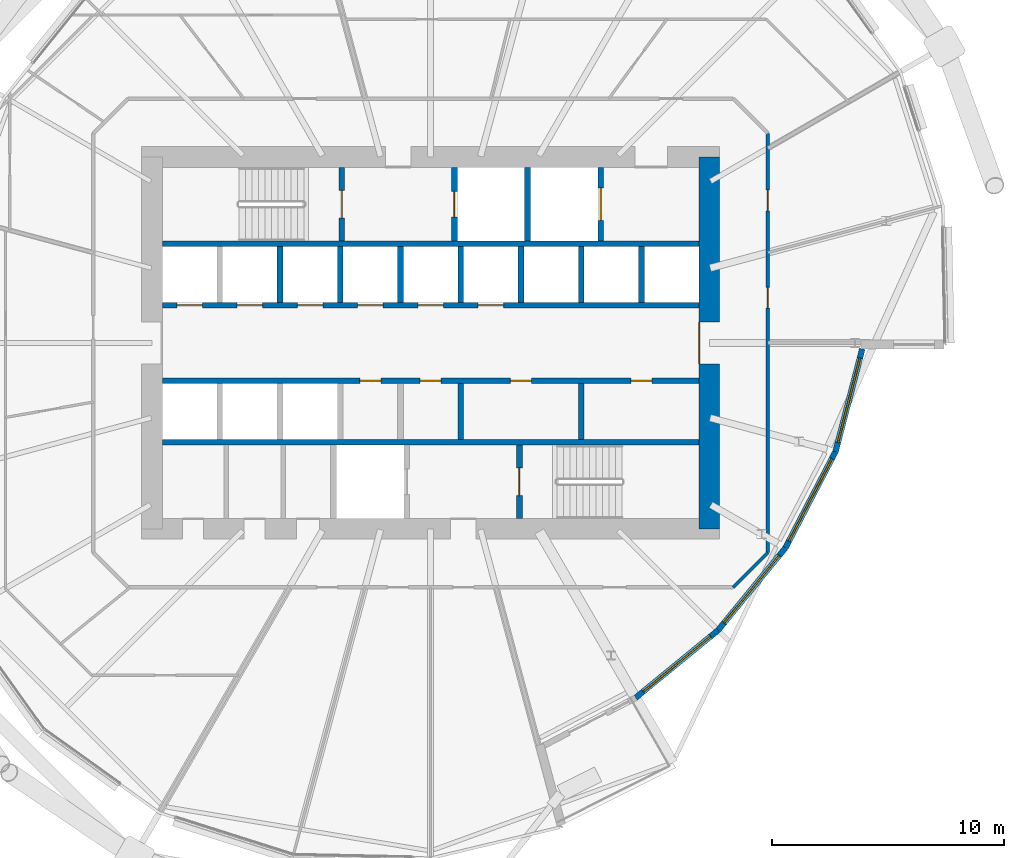
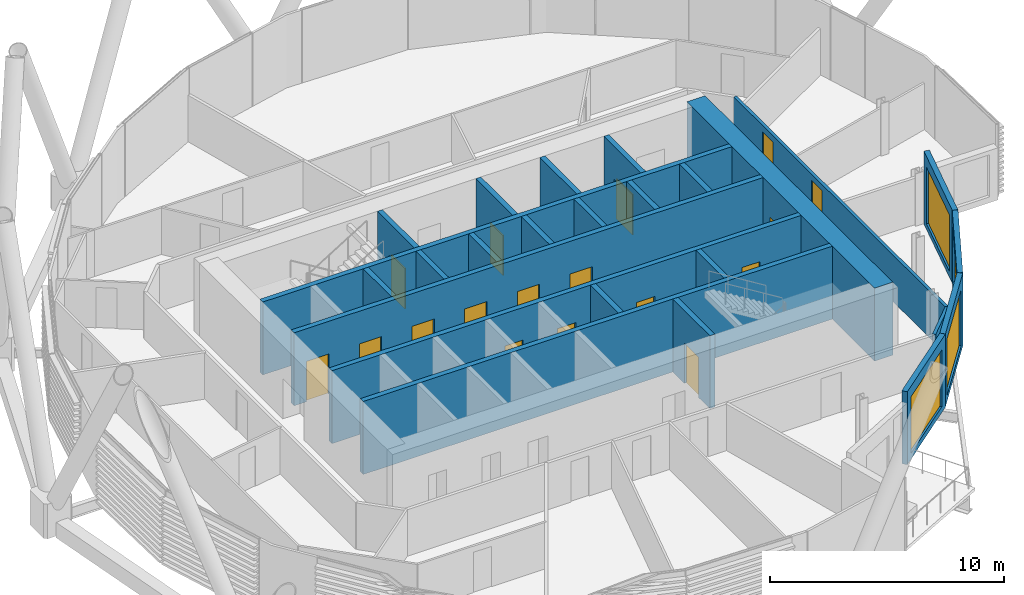
# One storey, part 24 of 36: 25 walls, 17 doors, 4 windows, 21 openings.
"""IFC4 building model written with IfcOpenShell, lengths in metres."""

from ifc_helpers import new_model, si_unit, direction, frame, frame_2d, origin, place, context, subcontext, project, spatial, rectangle, extrude, material, layer, layer_set, type_object, element, fill, save


model = new_model("IFC4")

# Units and contexts
model_context = context("Model", 3, precision=1e-05, world=origin(), true_north=direction((0.0, 1.0)))
body_context = subcontext(model_context, "Body", "Model", "MODEL_VIEW")
ifc_project = project(units=[si_unit("LENGTHUNIT", "METRE"), si_unit("AREAUNIT", "SQUARE_METRE"), si_unit("VOLUMEUNIT", "CUBIC_METRE"), si_unit("PLANEANGLEUNIT", "RADIAN"), si_unit("MASSUNIT", "GRAM", prefix="KILO")], contexts=[model_context])

# Site, building, storey
site_placement = place(None, origin())
site = spatial("IfcSite", under=ifc_project, at=site_placement, CompositionType="ELEMENT")
building_placement = place(site_placement, origin())
building = spatial("IfcBuilding", under=site, at=building_placement, Name="Rimbun Link Towers", CompositionType="ELEMENT")
storey_placement = place(building_placement, frame((0.0, 0.0, 64.199951171875)))
storey = spatial("IfcBuildingStorey", under=building, at=storey_placement, Name="L15", CompositionType="ELEMENT", Elevation=64.199951171875)

# Wall, opening, window
ifc_material_1 = material(Name="Dark enamelled glass spandrel on insulated aluminium backpan", Category="aluminium")
ifc_layer_1 = layer(ifc_material_1, 0.25)
ifc_layer_set_1 = layer_set([ifc_layer_1], Name="CS dark enamelled spandrel wall 250")
wall_type_1 = type_object("IfcWallType", Name="CS dark enamelled spandrel wall 250", PredefinedType="STANDARD", material=ifc_layer_set_1)
wall_1_placement = place(storey_placement, frame((44.126220703125, -12.376220703125, 0.0), z_axis=(0.0, 0.0, 1.0), x_axis=(-0.773897956984, -0.633310312703, 0.0)))
wall_1 = element("IfcWall", 1, at=wall_1_placement, inside=storey, type_object=wall_type_1, Name="Crease spandrel wall", PredefinedType="STANDARD", context=body_context, shape_type="SweptSolid", body=[
    extrude(rectangle(XDim=4.582763671875, YDim=0.25, at=frame_2d((2.29150390625, 0.0))), origin(), (0.0, 0.0, 1.0), 3.800048828125),
])
opening_1_placement = place(wall_1_placement, frame((0.416259765625, 0.0, 0.300048828125)))
opening_1 = element("IfcOpeningElement", 2, at=opening_1_placement, cuts=wall_1, Name="Opening WR38H295", PredefinedType="OPENING", context=body_context, shape_type="SweptSolid", body=[
    extrude(rectangle(XDim=3.75, YDim=2.949951171875, at=frame_2d((1.875, 1.47509765625))), frame((0.0, 0.135009765625, 0.0), z_axis=(0.0, -1.0, 0.0), x_axis=(1.0, 0.0, 0.0)), (0.0, 0.0, 1.0), 0.27001953125),
])
ifc_material_2 = material(Name="Aluminium framed fixed window, dark tinted low-e glass", Category="aluminium")
window_type_1 = type_object("IfcWindowType", Name="WR ribbon window 3750X2950", PartitioningType="SINGLE_PANEL", PredefinedType="WINDOW", material=ifc_material_2)
window_1_placement = place(opening_1_placement, origin())
window_1 = element("IfcWindow", 3, at=window_1_placement, inside=storey, type_object=window_type_1, Name="Crease ribbon window", OverallHeight=2.949951171875, OverallWidth=3.75, PartitioningType="SINGLE_PANEL", PredefinedType="WINDOW", context=body_context, shape_type="SweptSolid", body=[
    extrude(rectangle(XDim=3.75, YDim=2.949951171875, at=frame_2d((1.875, 1.47509765625))), frame((0.0, 0.030029296875, 0.0), z_axis=(0.0, -1.0, 0.0), x_axis=(1.0, 0.0, 0.0)), (0.0, 0.0, 1.0), 0.06005859375),
])
fill(opening_1, window_1)

wall_2_placement = place(storey_placement, frame((47.028564453125, -8.82958984375, 0.0), z_axis=(0.0, 0.0, 1.0), x_axis=(-0.633310312703, -0.773897956984, 0.0)))
wall_2 = element("IfcWall", 4, at=wall_2_placement, inside=storey, type_object=wall_type_1, Name="Crease spandrel wall", PredefinedType="STANDARD", context=body_context, shape_type="SweptSolid", body=[
    extrude(rectangle(XDim=4.582763671875, YDim=0.25, at=frame_2d((2.29150390625, 0.0))), origin(), (0.0, 0.0, 1.0), 3.800048828125),
])
opening_2_placement = place(wall_2_placement, frame((0.416259765625, 0.0, 0.300048828125)))
opening_2 = element("IfcOpeningElement", 5, at=opening_2_placement, cuts=wall_2, Name="Opening WR38H295", PredefinedType="OPENING", context=body_context, shape_type="SweptSolid", body=[
    extrude(rectangle(XDim=3.75, YDim=2.949951171875, at=frame_2d((1.875, 1.47509765625))), frame((0.0, 0.135009765625, 0.0), z_axis=(0.0, -1.0, 0.0), x_axis=(1.0, 0.0, 0.0)), (0.0, 0.0, 1.0), 0.27001953125),
])
window_2_placement = place(opening_2_placement, origin())
window_2 = element("IfcWindow", 6, at=window_2_placement, inside=storey, type_object=window_type_1, Name="Crease ribbon window", OverallHeight=2.949951171875, OverallWidth=3.75, PartitioningType="SINGLE_PANEL", PredefinedType="WINDOW", context=body_context, shape_type="SweptSolid", body=[
    extrude(rectangle(XDim=3.75, YDim=2.949951171875, at=frame_2d((1.875, 1.47509765625))), frame((0.0, 0.030029296875, 0.0), z_axis=(0.0, -1.0, 0.0), x_axis=(1.0, 0.0, 0.0)), (0.0, 0.0, 1.0), 0.06005859375),
])
fill(opening_2, window_2)

wall_3_placement = place(storey_placement, frame((49.186279296875, -4.685791015625, 0.0), z_axis=(0.0, 0.0, 1.0), x_axis=(-0.461847922191, -0.886959129142, 0.0)))
wall_3 = element("IfcWall", 7, at=wall_3_placement, inside=storey, type_object=wall_type_1, Name="Crease spandrel wall", PredefinedType="STANDARD", context=body_context, shape_type="SweptSolid", body=[
    extrude(rectangle(XDim=4.671875, YDim=0.25, at=frame_2d((2.3359375, 0.0))), origin(), (0.0, 0.0, 1.0), 3.800048828125),
])
opening_3_placement = place(wall_3_placement, frame((0.3359375, 0.0, 0.300048828125)))
opening_3 = element("IfcOpeningElement", 8, at=opening_3_placement, cuts=wall_3, Name="Opening WR40H295", PredefinedType="OPENING", context=body_context, shape_type="SweptSolid", body=[
    extrude(rectangle(XDim=4.0, YDim=2.949951171875, at=frame_2d((2.0, 1.47509765625))), frame((0.0, 0.135009765625, 0.0), z_axis=(0.0, -1.0, 0.0), x_axis=(1.0, 0.0, 0.0)), (0.0, 0.0, 1.0), 0.27001953125),
])
ifc_material_3 = material(Name="Aluminium framed fixed window, dark tinted low-e glass", Category="aluminium")
window_type_2 = type_object("IfcWindowType", Name="WR ribbon window 4000X2950", PartitioningType="SINGLE_PANEL", PredefinedType="WINDOW", material=ifc_material_3)
window_3_placement = place(opening_3_placement, origin())
window_3 = element("IfcWindow", 9, at=window_3_placement, inside=storey, type_object=window_type_2, Name="Crease ribbon window", OverallHeight=2.949951171875, OverallWidth=4.0, PartitioningType="SINGLE_PANEL", PredefinedType="WINDOW", context=body_context, shape_type="SweptSolid", body=[
    extrude(rectangle(XDim=4.0, YDim=2.949951171875, at=frame_2d((2.0, 1.47509765625))), frame((0.0, 0.030029296875, 0.0), z_axis=(0.0, -1.0, 0.0), x_axis=(1.0, 0.0, 0.0)), (0.0, 0.0, 1.0), 0.06005859375),
])
fill(opening_3, window_3)

wall_4_placement = place(storey_placement, frame((50.343017578125, -0.25, 0.0), z_axis=(0.0, 0.0, 1.0), x_axis=(-0.252335175564, -0.967639891268, 0.0)))
wall_4 = element("IfcWall", 10, at=wall_4_placement, inside=storey, type_object=wall_type_1, Name="Crease spandrel wall", PredefinedType="STANDARD", context=body_context, shape_type="SweptSolid", body=[
    extrude(rectangle(XDim=4.584228515625, YDim=0.25, at=frame_2d((2.2919921875, 0.0))), origin(), (0.0, 0.0, 1.0), 3.800048828125),
])
opening_4_placement = place(wall_4_placement, frame((0.4169921875, 0.0, 0.300048828125)))
opening_4 = element("IfcOpeningElement", 11, at=opening_4_placement, cuts=wall_4, Name="Opening WR38H295", PredefinedType="OPENING", context=body_context, shape_type="SweptSolid", body=[
    extrude(rectangle(XDim=3.75, YDim=2.949951171875, at=frame_2d((1.875, 1.47509765625))), frame((0.0, 0.135009765625, 0.0), z_axis=(0.0, -1.0, 0.0), x_axis=(1.0, 0.0, 0.0)), (0.0, 0.0, 1.0), 0.27001953125),
])
window_4_placement = place(opening_4_placement, origin())
window_4 = element("IfcWindow", 12, at=window_4_placement, inside=storey, type_object=window_type_1, Name="Crease ribbon window", OverallHeight=2.949951171875, OverallWidth=3.75, PartitioningType="SINGLE_PANEL", PredefinedType="WINDOW", context=body_context, shape_type="SweptSolid", body=[
    extrude(rectangle(XDim=3.75, YDim=2.949951171875, at=frame_2d((1.875, 1.47509765625))), frame((0.0, 0.030029296875, 0.0), z_axis=(0.0, -1.0, 0.0), x_axis=(1.0, 0.0, 0.0)), (0.0, 0.0, 1.0), 0.06005859375),
])
fill(opening_4, window_4)

# Wall, opening, door
ifc_material_4 = material(Name="Concrete C60/75", Category="concrete")
ifc_layer_2 = layer(ifc_material_4, 0.89990234375)
ifc_layer_set_2 = layer_set([ifc_layer_2], Name="Core shear wall 900")
wall_type_2 = type_object("IfcWallType", Name="Core shear wall 900", PredefinedType="SHEAR", material=ifc_layer_set_2)
wall_5_placement = place(storey_placement, frame((43.75, -8.0, 0.0), z_axis=(0.0, 0.0, 1.0), x_axis=(0.0, 1.0, 0.0)))
wall_5 = element("IfcWall", 13, at=wall_5_placement, inside=storey, type_object=wall_type_2, Name="L15 T2 core wall E", PredefinedType="SHEAR", context=body_context, shape_type="SweptSolid", body=[
    extrude(rectangle(XDim=16.0, YDim=0.89990234375, at=frame_2d((8.0, 0.0))), origin(), (0.0, 0.0, 1.0), 3.800048828125),
])
opening_5_placement = place(wall_5_placement, frame((7.10009765625, 0.0, 0.0)))
opening_5 = element("IfcOpeningElement", 14, at=opening_5_placement, cuts=wall_5, Name="Opening C2DCL01E", PredefinedType="OPENING", context=body_context, shape_type="SweptSolid", body=[
    extrude(rectangle(XDim=1.800048828125, YDim=2.10009765625, at=frame_2d((0.89990234375, 1.050048828125))), frame((0.0, 0.4599609375, 0.0), z_axis=(0.0, -1.0, 0.0), x_axis=(1.0, 0.0, 0.0)), (0.0, 0.0, 1.0), 0.919921875),
])
ifc_material_5 = material(Name="Steel fire door set", Category="steel")
door_type_1 = type_object("IfcDoorType", Name="Core lobby door double", OperationType="DOUBLE_DOOR_SINGLE_SWING", PredefinedType="DOOR", material=ifc_material_5)
door_1_placement = place(opening_5_placement, origin())
door_1 = element("IfcDoor", 15, at=door_1_placement, inside=storey, type_object=door_type_1, Name="L15 T2 lift lobby door", OperationType="DOUBLE_DOOR_SINGLE_SWING", OverallHeight=2.10009765625, OverallWidth=1.800048828125, PredefinedType="DOOR", context=body_context, shape_type="SweptSolid", body=[
    extrude(rectangle(XDim=1.800048828125, YDim=2.10009765625, at=frame_2d((0.89990234375, 1.050048828125))), frame((0.0, 0.4501953125, 0.0), z_axis=(0.0, -1.0, 0.0), x_axis=(1.0, 0.0, 0.0)), (0.0, 0.0, 1.0), 0.050048828125),
])
fill(opening_5, door_1)

# Wall, openings, doors
ifc_material_6 = material(Name="Plasterboard on steel stud, mineral wool", Category="steel")
ifc_layer_3 = layer(ifc_material_6, 0.14990234375)
ifc_layer_set_3 = layer_set([ifc_layer_3], Name="Corridor wall EI 30 150 mm")
wall_type_3 = type_object("IfcWallType", Name="Corridor wall EI 30 150 mm", PredefinedType="PARTITIONING", material=ifc_layer_set_3)
wall_6_placement = place(storey_placement, frame((46.27490234375, 9.026611328125, 0.0), z_axis=(0.0, 0.0, 1.0), x_axis=(0.0, -1.0, 0.0)))
wall_6 = element("IfcWall", 16, at=wall_6_placement, inside=storey, type_object=wall_type_3, Name="Corridor wall EI 30 150 mm", PredefinedType="PARTITIONING", context=body_context, shape_type="SweptSolid", body=[
    extrude(rectangle(XDim=18.05322265625, YDim=0.14990234375, at=frame_2d((9.026611328125, 0.0))), origin(), (0.0, 0.0, 1.0), 2.420166015625),
])
opening_6_placement = place(wall_6_placement, frame((6.630615234375, 0.0, 0.0)))
opening_6 = element("IfcOpeningElement", 17, at=opening_6_placement, cuts=wall_6, Name="Opening D02", PredefinedType="OPENING", context=body_context, shape_type="SweptSolid", body=[
    extrude(rectangle(XDim=0.89990234375, YDim=2.10009765625, at=frame_2d((0.449951171875, 1.050048828125))), frame((0.0, 0.0849609375, 0.0), z_axis=(0.0, -1.0, 0.0), x_axis=(1.0, 0.0, 0.0)), (0.0, 0.0, 1.0), 0.169921875),
])
opening_7_placement = place(wall_6_placement, frame((2.437744140625, 0.0, 0.0)))
opening_7 = element("IfcOpeningElement", 18, at=opening_7_placement, cuts=wall_6, Name="Opening D02", PredefinedType="OPENING", context=body_context, shape_type="SweptSolid", body=[
    extrude(rectangle(XDim=0.89990234375, YDim=2.10009765625, at=frame_2d((0.449951171875, 1.050048828125))), frame((0.0, 0.0849609375, 0.0), z_axis=(0.0, -1.0, 0.0), x_axis=(1.0, 0.0, 0.0)), (0.0, 0.0, 1.0), 0.169921875),
])
ifc_material_7 = material(Name="Fire-resisting timber door leaf", Category="wood")
door_type_2 = type_object("IfcDoorType", Name="Fire door FD30S 900", OperationType="NOTDEFINED", PredefinedType="DOOR", material=ifc_material_7)
door_2_placement = place(opening_6_placement, origin())
door_2 = element("IfcDoor", 19, at=door_2_placement, inside=storey, type_object=door_type_2, Name="Fire door FD30S 900 to Meeting room", OperationType="SINGLE_SWING_LEFT", OverallHeight=2.10009765625, OverallWidth=0.89990234375, PredefinedType="DOOR", context=body_context, shape_type="SweptSolid", body=[
    extrude(rectangle(XDim=0.89990234375, YDim=2.10009765625, at=frame_2d((0.449951171875, 1.050048828125))), frame((0.0, 0.02490234375, 0.0), z_axis=(0.0, -1.0, 0.0), x_axis=(1.0, 0.0, 0.0)), (0.0, 0.0, 1.0), 0.050048828125),
])
fill(opening_6, door_2)
door_3_placement = place(opening_7_placement, origin())
door_3 = element("IfcDoor", 20, at=door_3_placement, inside=storey, type_object=door_type_2, Name="Fire door FD30S 900 to Meeting room", OperationType="SINGLE_SWING_RIGHT", OverallHeight=2.10009765625, OverallWidth=0.89990234375, PredefinedType="DOOR", context=body_context, shape_type="SweptSolid", body=[
    extrude(rectangle(XDim=0.89990234375, YDim=2.10009765625, at=frame_2d((0.449951171875, 1.050048828125))), frame((0.0, 0.02490234375, 0.0), z_axis=(0.0, -1.0, 0.0), x_axis=(1.0, 0.0, 0.0)), (0.0, 0.0, 1.0), 0.050048828125),
])
fill(opening_7, door_3)

# Walls
wall_7_placement = place(storey_placement, frame((44.776611328125, -10.52490234375, 0.0), z_axis=(0.0, 0.0, 1.0), x_axis=(0.707106781187, 0.707106781187, 0.0)))
element("IfcWall", 21, at=wall_7_placement, inside=storey, type_object=wall_type_3, Name="Corridor wall EI 30 150 mm", PredefinedType="PARTITIONING", context=body_context, shape_type="SweptSolid", body=[
    extrude(rectangle(XDim=2.118896484375, YDim=0.14990234375, at=frame_2d((1.0595703125, 0.0))), origin(), (0.0, 0.0, 1.0), 2.420166015625),
])
ifc_material_8 = material(Name="Concrete C60/75", Category="concrete")
ifc_layer_4 = layer(ifc_material_8, 0.25)
ifc_layer_set_4 = layer_set([ifc_layer_4], Name="Shaft wall 250")
wall_type_4 = type_object("IfcWallType", Name="Shaft wall 250", PredefinedType="SHEAR", material=ifc_layer_set_4)
for number, where, z_axis, x_axis, name in (
    (22, (20.199951171875, 4.27490234375, 0.0), (0.0, 0.0, 1.0), (1.0, 0.0, 0.0), "L15 T2 core wall BN"),
    (23, (20.199951171875, -4.27490234375, 0.0), (0.0, 0.0, 1.0), (1.0, 0.0, 0.0), "L15 T2 core wall BS"),
):
    element("IfcWall", number, at=place(storey_placement, frame(where, z_axis=z_axis, x_axis=x_axis)), inside=storey, type_object=wall_type_4, Name=name, PredefinedType="SHEAR", context=body_context, shape_type="SweptSolid", body=[
        extrude(rectangle(XDim=23.10009765625, YDim=0.25, at=frame_2d((11.550048828125, 0.0))), origin(), (0.0, 0.0, 1.0), 3.800048828125),
    ])

# Wall, openings, doors
wall_8_placement = place(storey_placement, frame((20.199951171875, 1.625, 0.0), z_axis=(0.0, 0.0, 1.0), x_axis=(1.0, 0.0, 0.0)))
wall_8 = element("IfcWall", 24, at=wall_8_placement, inside=storey, type_object=wall_type_4, Name="L15 T2 core wall FN", PredefinedType="SHEAR", context=body_context, shape_type="SweptSolid", body=[
    extrude(rectangle(XDim=23.10009765625, YDim=0.25, at=frame_2d((11.550048828125, 0.0))), origin(), (0.0, 0.0, 1.0), 3.800048828125),
])
opening_8_placement = place(wall_8_placement, frame((0.622314453125, 0.0, 0.0)))
opening_8 = element("IfcOpeningElement", 25, at=opening_8_placement, cuts=wall_8, Name="Opening LD-T2-LR1", PredefinedType="OPENING", context=body_context, shape_type="SweptSolid", body=[
    extrude(rectangle(XDim=1.10009765625, YDim=2.10009765625, at=frame_2d((0.550048828125, 1.050048828125))), frame((0.0, 0.135009765625, 0.0), z_axis=(0.0, -1.0, 0.0), x_axis=(1.0, 0.0, 0.0)), (0.0, 0.0, 1.0), 0.27001953125),
])
opening_9_placement = place(wall_8_placement, frame((3.216796875, 0.0, 0.0)))
opening_9 = element("IfcOpeningElement", 26, at=opening_9_placement, cuts=wall_8, Name="Opening LD-T2-LR2", PredefinedType="OPENING", context=body_context, shape_type="SweptSolid", body=[
    extrude(rectangle(XDim=1.10009765625, YDim=2.10009765625, at=frame_2d((0.550048828125, 1.050048828125))), frame((0.0, 0.135009765625, 0.0), z_axis=(0.0, -1.0, 0.0), x_axis=(1.0, 0.0, 0.0)), (0.0, 0.0, 1.0), 0.27001953125),
])
opening_10_placement = place(wall_8_placement, frame((5.81103515625, 0.0, 0.0)))
opening_10 = element("IfcOpeningElement", 27, at=opening_10_placement, cuts=wall_8, Name="Opening LD-T2-LR3", PredefinedType="OPENING", context=body_context, shape_type="SweptSolid", body=[
    extrude(rectangle(XDim=1.10009765625, YDim=2.10009765625, at=frame_2d((0.550048828125, 1.050048828125))), frame((0.0, 0.135009765625, 0.0), z_axis=(0.0, -1.0, 0.0), x_axis=(1.0, 0.0, 0.0)), (0.0, 0.0, 1.0), 0.27001953125),
])
opening_11_placement = place(wall_8_placement, frame((8.405517578125, 0.0, 0.0)))
opening_11 = element("IfcOpeningElement", 28, at=opening_11_placement, cuts=wall_8, Name="Opening LD-T2-LR4", PredefinedType="OPENING", context=body_context, shape_type="SweptSolid", body=[
    extrude(rectangle(XDim=1.10009765625, YDim=2.10009765625, at=frame_2d((0.550048828125, 1.050048828125))), frame((0.0, 0.135009765625, 0.0), z_axis=(0.0, -1.0, 0.0), x_axis=(1.0, 0.0, 0.0)), (0.0, 0.0, 1.0), 0.27001953125),
])
opening_12_placement = place(wall_8_placement, frame((11.0, 0.0, 0.0)))
opening_12 = element("IfcOpeningElement", 29, at=opening_12_placement, cuts=wall_8, Name="Opening LD-T2-LR5", PredefinedType="OPENING", context=body_context, shape_type="SweptSolid", body=[
    extrude(rectangle(XDim=1.10009765625, YDim=2.10009765625, at=frame_2d((0.550048828125, 1.050048828125))), frame((0.0, 0.135009765625, 0.0), z_axis=(0.0, -1.0, 0.0), x_axis=(1.0, 0.0, 0.0)), (0.0, 0.0, 1.0), 0.27001953125),
])
opening_13_placement = place(wall_8_placement, frame((13.594482421875, 0.0, 0.0)))
opening_13 = element("IfcOpeningElement", 30, at=opening_13_placement, cuts=wall_8, Name="Opening LD-T2-LR6", PredefinedType="OPENING", context=body_context, shape_type="SweptSolid", body=[
    extrude(rectangle(XDim=1.10009765625, YDim=2.10009765625, at=frame_2d((0.550048828125, 1.050048828125))), frame((0.0, 0.135009765625, 0.0), z_axis=(0.0, -1.0, 0.0), x_axis=(1.0, 0.0, 0.0)), (0.0, 0.0, 1.0), 0.27001953125),
])
ifc_material_9 = material(Name="Stainless steel grade 316", Category="steel")
door_type_3 = type_object("IfcDoorType", Name="Lift landing door", OperationType="DOUBLE_DOOR_SLIDING", PredefinedType="DOOR", material=ifc_material_9)
door_4_placement = place(opening_8_placement, origin())
door_4 = element("IfcDoor", 31, at=door_4_placement, inside=storey, type_object=door_type_3, Name="L15 T2 lift LR1 landing door", OperationType="DOUBLE_DOOR_SLIDING", OverallHeight=2.10009765625, OverallWidth=1.10009765625, PredefinedType="DOOR", context=body_context, shape_type="SweptSolid", body=[
    extrude(rectangle(XDim=1.10009765625, YDim=2.10009765625, at=frame_2d((0.550048828125, 1.050048828125))), frame((0.0, 0.02490234375, 0.0), z_axis=(0.0, -1.0, 0.0), x_axis=(1.0, 0.0, 0.0)), (0.0, 0.0, 1.0), 0.050048828125),
])
fill(opening_8, door_4)
door_5_placement = place(opening_9_placement, origin())
door_5 = element("IfcDoor", 32, at=door_5_placement, inside=storey, type_object=door_type_3, Name="L15 T2 lift LR2 landing door", OperationType="DOUBLE_DOOR_SLIDING", OverallHeight=2.10009765625, OverallWidth=1.10009765625, PredefinedType="DOOR", context=body_context, shape_type="SweptSolid", body=[
    extrude(rectangle(XDim=1.10009765625, YDim=2.10009765625, at=frame_2d((0.550048828125, 1.050048828125))), frame((0.0, 0.02490234375, 0.0), z_axis=(0.0, -1.0, 0.0), x_axis=(1.0, 0.0, 0.0)), (0.0, 0.0, 1.0), 0.050048828125),
])
fill(opening_9, door_5)
door_6_placement = place(opening_10_placement, origin())
door_6 = element("IfcDoor", 33, at=door_6_placement, inside=storey, type_object=door_type_3, Name="L15 T2 lift LR3 landing door", OperationType="DOUBLE_DOOR_SLIDING", OverallHeight=2.10009765625, OverallWidth=1.10009765625, PredefinedType="DOOR", context=body_context, shape_type="SweptSolid", body=[
    extrude(rectangle(XDim=1.10009765625, YDim=2.10009765625, at=frame_2d((0.550048828125, 1.050048828125))), frame((0.0, 0.02490234375, 0.0), z_axis=(0.0, -1.0, 0.0), x_axis=(1.0, 0.0, 0.0)), (0.0, 0.0, 1.0), 0.050048828125),
])
fill(opening_10, door_6)
door_7_placement = place(opening_11_placement, origin())
door_7 = element("IfcDoor", 34, at=door_7_placement, inside=storey, type_object=door_type_3, Name="L15 T2 lift LR4 landing door", OperationType="DOUBLE_DOOR_SLIDING", OverallHeight=2.10009765625, OverallWidth=1.10009765625, PredefinedType="DOOR", context=body_context, shape_type="SweptSolid", body=[
    extrude(rectangle(XDim=1.10009765625, YDim=2.10009765625, at=frame_2d((0.550048828125, 1.050048828125))), frame((0.0, 0.02490234375, 0.0), z_axis=(0.0, -1.0, 0.0), x_axis=(1.0, 0.0, 0.0)), (0.0, 0.0, 1.0), 0.050048828125),
])
fill(opening_11, door_7)
door_8_placement = place(opening_12_placement, origin())
door_8 = element("IfcDoor", 35, at=door_8_placement, inside=storey, type_object=door_type_3, Name="L15 T2 lift LR5 landing door", OperationType="DOUBLE_DOOR_SLIDING", OverallHeight=2.10009765625, OverallWidth=1.10009765625, PredefinedType="DOOR", context=body_context, shape_type="SweptSolid", body=[
    extrude(rectangle(XDim=1.10009765625, YDim=2.10009765625, at=frame_2d((0.550048828125, 1.050048828125))), frame((0.0, 0.02490234375, 0.0), z_axis=(0.0, -1.0, 0.0), x_axis=(1.0, 0.0, 0.0)), (0.0, 0.0, 1.0), 0.050048828125),
])
fill(opening_12, door_8)
door_9_placement = place(opening_13_placement, origin())
door_9 = element("IfcDoor", 36, at=door_9_placement, inside=storey, type_object=door_type_3, Name="L15 T2 lift LR6 landing door", OperationType="DOUBLE_DOOR_SLIDING", OverallHeight=2.10009765625, OverallWidth=1.10009765625, PredefinedType="DOOR", context=body_context, shape_type="SweptSolid", body=[
    extrude(rectangle(XDim=1.10009765625, YDim=2.10009765625, at=frame_2d((0.550048828125, 1.050048828125))), frame((0.0, 0.02490234375, 0.0), z_axis=(0.0, -1.0, 0.0), x_axis=(1.0, 0.0, 0.0)), (0.0, 0.0, 1.0), 0.050048828125),
])
fill(opening_13, door_9)

wall_9_placement = place(storey_placement, frame((20.199951171875, -1.625, 0.0), z_axis=(0.0, 0.0, 1.0), x_axis=(1.0, 0.0, 0.0)))
wall_9 = element("IfcWall", 37, at=wall_9_placement, inside=storey, type_object=wall_type_4, Name="L15 T2 core wall FS", PredefinedType="SHEAR", context=body_context, shape_type="SweptSolid", body=[
    extrude(rectangle(XDim=23.10009765625, YDim=0.25, at=frame_2d((11.550048828125, 0.0))), origin(), (0.0, 0.0, 1.0), 3.800048828125),
])
opening_14_placement = place(wall_9_placement, frame((8.505615234375, 0.0, 0.0)))
opening_14 = element("IfcOpeningElement", 38, at=opening_14_placement, cuts=wall_9, Name="Opening C2DRS01FS", PredefinedType="OPENING", context=body_context, shape_type="SweptSolid", body=[
    extrude(rectangle(XDim=0.89990234375, YDim=2.10009765625, at=frame_2d((0.449951171875, 1.050048828125))), frame((0.0, 0.135009765625, 0.0), z_axis=(0.0, -1.0, 0.0), x_axis=(1.0, 0.0, 0.0)), (0.0, 0.0, 1.0), 0.27001953125),
])
opening_15_placement = place(wall_9_placement, frame((11.10009765625, 0.0, 0.0)))
opening_15 = element("IfcOpeningElement", 39, at=opening_15_placement, cuts=wall_9, Name="Opening C2DRS02FS", PredefinedType="OPENING", context=body_context, shape_type="SweptSolid", body=[
    extrude(rectangle(XDim=0.89990234375, YDim=2.10009765625, at=frame_2d((0.449951171875, 1.050048828125))), frame((0.0, 0.135009765625, 0.0), z_axis=(0.0, -1.0, 0.0), x_axis=(1.0, 0.0, 0.0)), (0.0, 0.0, 1.0), 0.27001953125),
])
opening_16_placement = place(wall_9_placement, frame((14.99169921875, 0.0, 0.0)))
opening_16 = element("IfcOpeningElement", 40, at=opening_16_placement, cuts=wall_9, Name="Opening C2DRS03FS", PredefinedType="OPENING", context=body_context, shape_type="SweptSolid", body=[
    extrude(rectangle(XDim=0.89990234375, YDim=2.10009765625, at=frame_2d((0.449951171875, 1.050048828125))), frame((0.0, 0.135009765625, 0.0), z_axis=(0.0, -1.0, 0.0), x_axis=(1.0, 0.0, 0.0)), (0.0, 0.0, 1.0), 0.27001953125),
])
opening_17_placement = place(wall_9_placement, frame((20.1806640625, 0.0, 0.0)))
opening_17 = element("IfcOpeningElement", 41, at=opening_17_placement, cuts=wall_9, Name="Opening C2DRS04FS", PredefinedType="OPENING", context=body_context, shape_type="SweptSolid", body=[
    extrude(rectangle(XDim=0.89990234375, YDim=2.10009765625, at=frame_2d((0.449951171875, 1.050048828125))), frame((0.0, 0.135009765625, 0.0), z_axis=(0.0, -1.0, 0.0), x_axis=(1.0, 0.0, 0.0)), (0.0, 0.0, 1.0), 0.27001953125),
])
ifc_material_10 = material(Name="Steel fire door set", Category="steel")
door_type_4 = type_object("IfcDoorType", Name="Core riser door", OperationType="SINGLE_SWING_LEFT", PredefinedType="DOOR", material=ifc_material_10)
door_10_placement = place(opening_14_placement, origin())
door_10 = element("IfcDoor", 42, at=door_10_placement, inside=storey, type_object=door_type_4, Name="L15 T2 pantry door", OperationType="SINGLE_SWING_LEFT", OverallHeight=2.10009765625, OverallWidth=0.89990234375, PredefinedType="DOOR", context=body_context, shape_type="SweptSolid", body=[
    extrude(rectangle(XDim=0.89990234375, YDim=2.10009765625, at=frame_2d((0.449951171875, 1.050048828125))), frame((0.0, 0.02490234375, 0.0), z_axis=(0.0, -1.0, 0.0), x_axis=(1.0, 0.0, 0.0)), (0.0, 0.0, 1.0), 0.050048828125),
])
fill(opening_14, door_10)
door_11_placement = place(opening_15_placement, origin())
door_11 = element("IfcDoor", 43, at=door_11_placement, inside=storey, type_object=door_type_4, Name="L15 T2 stationery store door", OperationType="SINGLE_SWING_LEFT", OverallHeight=2.10009765625, OverallWidth=0.89990234375, PredefinedType="DOOR", context=body_context, shape_type="SweptSolid", body=[
    extrude(rectangle(XDim=0.89990234375, YDim=2.10009765625, at=frame_2d((0.449951171875, 1.050048828125))), frame((0.0, 0.02490234375, 0.0), z_axis=(0.0, -1.0, 0.0), x_axis=(1.0, 0.0, 0.0)), (0.0, 0.0, 1.0), 0.050048828125),
])
fill(opening_15, door_11)
door_12_placement = place(opening_16_placement, origin())
door_12 = element("IfcDoor", 44, at=door_12_placement, inside=storey, type_object=door_type_4, Name="L15 T2 server room door", OperationType="SINGLE_SWING_LEFT", OverallHeight=2.10009765625, OverallWidth=0.89990234375, PredefinedType="DOOR", context=body_context, shape_type="SweptSolid", body=[
    extrude(rectangle(XDim=0.89990234375, YDim=2.10009765625, at=frame_2d((0.449951171875, 1.050048828125))), frame((0.0, 0.02490234375, 0.0), z_axis=(0.0, -1.0, 0.0), x_axis=(1.0, 0.0, 0.0)), (0.0, 0.0, 1.0), 0.050048828125),
])
fill(opening_16, door_12)
door_13_placement = place(opening_17_placement, origin())
door_13 = element("IfcDoor", 45, at=door_13_placement, inside=storey, type_object=door_type_4, Name="L15 T2 print room door", OperationType="SINGLE_SWING_LEFT", OverallHeight=2.10009765625, OverallWidth=0.89990234375, PredefinedType="DOOR", context=body_context, shape_type="SweptSolid", body=[
    extrude(rectangle(XDim=0.89990234375, YDim=2.10009765625, at=frame_2d((0.449951171875, 1.050048828125))), frame((0.0, 0.02490234375, 0.0), z_axis=(0.0, -1.0, 0.0), x_axis=(1.0, 0.0, 0.0)), (0.0, 0.0, 1.0), 0.050048828125),
])
fill(opening_17, door_13)

# Walls
for number, where, z_axis, x_axis, name in (
    (46, (25.263916015625, 1.75, 0.0), (0.0, 0.0, 1.0), (0.0, 1.0, 0.0), "L15 T2 core wall DN1"),
    (47, (27.8583984375, 1.75, 0.0), (0.0, 0.0, 1.0), (0.0, 1.0, 0.0), "L15 T2 core wall DN2"),
    (48, (30.452880859375, 1.75, 0.0), (0.0, 0.0, 1.0), (0.0, 1.0, 0.0), "L15 T2 core wall DN3"),
    (49, (33.047119140625, 1.75, 0.0), (0.0, 0.0, 1.0), (0.0, 1.0, 0.0), "L15 T2 core wall DN4"),
    (50, (35.6416015625, 1.75, 0.0), (0.0, 0.0, 1.0), (0.0, 1.0, 0.0), "L15 T2 core wall DN5"),
    (51, (38.236083984375, 1.75, 0.0), (0.0, 0.0, 1.0), (0.0, 1.0, 0.0), "L15 T2 core wall DN6"),
    (52, (40.83056640625, 1.75, 0.0), (0.0, 0.0, 1.0), (0.0, 1.0, 0.0), "L15 T2 core wall DN7"),
    (53, (33.047119140625, -4.14990234375, 0.0), (0.0, 0.0, 1.0), (0.0, 1.0, 0.0), "L15 T2 core wall DS4"),
    (54, (38.236083984375, -4.14990234375, 0.0), (0.0, 0.0, 1.0), (0.0, 1.0, 0.0), "L15 T2 core wall DS6"),
):
    element("IfcWall", number, at=place(storey_placement, frame(where, z_axis=z_axis, x_axis=x_axis)), inside=storey, type_object=wall_type_4, Name=name, PredefinedType="SHEAR", context=body_context, shape_type="SweptSolid", body=[
        extrude(rectangle(XDim=2.39990234375, YDim=0.25, at=frame_2d((1.199951171875, 0.0))), origin(), (0.0, 0.0, 1.0), 3.800048828125),
    ])

# Wall, opening, door
wall_10_placement = place(storey_placement, frame((27.925048828125, 4.39990234375, 0.0), z_axis=(0.0, 0.0, 1.0), x_axis=(0.0, 1.0, 0.0)))
wall_10 = element("IfcWall", 55, at=wall_10_placement, inside=storey, type_object=wall_type_4, Name="L15 T2 core wall A1", PredefinedType="SHEAR", context=body_context, shape_type="SweptSolid", body=[
    extrude(rectangle(XDim=3.150146484375, YDim=0.25, at=frame_2d((1.5751953125, 0.0))), origin(), (0.0, 0.0, 1.0), 3.800048828125),
])
opening_18_placement = place(wall_10_placement, frame((0.97509765625, 0.0, 0.0)))
opening_18 = element("IfcOpeningElement", 56, at=opening_18_placement, cuts=wall_10, Name="Opening C2DST01A1", PredefinedType="OPENING", context=body_context, shape_type="SweptSolid", body=[
    extrude(rectangle(XDim=1.199951171875, YDim=2.10009765625, at=frame_2d((0.60009765625, 1.050048828125))), frame((0.0, 0.135009765625, 0.0), z_axis=(0.0, -1.0, 0.0), x_axis=(1.0, 0.0, 0.0)), (0.0, 0.0, 1.0), 0.27001953125),
])
ifc_material_11 = material(Name="Steel fire door set", Category="steel")
door_type_5 = type_object("IfcDoorType", Name="Stair door", OperationType="SINGLE_SWING_LEFT", PredefinedType="DOOR", material=ifc_material_11)
door_14_placement = place(opening_18_placement, origin())
door_14 = element("IfcDoor", 57, at=door_14_placement, inside=storey, type_object=door_type_5, Name="L15 T2 stair a door", OperationType="SINGLE_SWING_LEFT", OverallHeight=2.10009765625, OverallWidth=1.199951171875, PredefinedType="DOOR", context=body_context, shape_type="SweptSolid", body=[
    extrude(rectangle(XDim=1.199951171875, YDim=2.10009765625, at=frame_2d((0.60009765625, 1.050048828125))), frame((0.0, 0.02490234375, 0.0), z_axis=(0.0, -1.0, 0.0), x_axis=(1.0, 0.0, 0.0)), (0.0, 0.0, 1.0), 0.050048828125),
])
fill(opening_18, door_14)

wall_11_placement = place(storey_placement, frame((32.77490234375, 4.39990234375, 0.0), z_axis=(0.0, 0.0, 1.0), x_axis=(0.0, 1.0, 0.0)))
wall_11 = element("IfcWall", 58, at=wall_11_placement, inside=storey, type_object=wall_type_4, Name="L15 T2 core wall A2", PredefinedType="SHEAR", context=body_context, shape_type="SweptSolid", body=[
    extrude(rectangle(XDim=3.150146484375, YDim=0.25, at=frame_2d((1.5751953125, 0.0))), origin(), (0.0, 0.0, 1.0), 3.800048828125),
])
opening_19_placement = place(wall_11_placement, frame((1.02490234375, 0.0, 0.0)))
opening_19 = element("IfcOpeningElement", 59, at=opening_19_placement, cuts=wall_11, Name="Opening LD-T2-FF1", PredefinedType="OPENING", context=body_context, shape_type="SweptSolid", body=[
    extrude(rectangle(XDim=1.10009765625, YDim=2.10009765625, at=frame_2d((0.550048828125, 1.050048828125))), frame((0.0, 0.135009765625, 0.0), z_axis=(0.0, -1.0, 0.0), x_axis=(1.0, 0.0, 0.0)), (0.0, 0.0, 1.0), 0.27001953125),
])
door_15_placement = place(opening_19_placement, origin())
door_15 = element("IfcDoor", 60, at=door_15_placement, inside=storey, type_object=door_type_3, Name="L15 T2 lift FF1 landing door", OperationType="DOUBLE_DOOR_SLIDING", OverallHeight=2.10009765625, OverallWidth=1.10009765625, PredefinedType="DOOR", context=body_context, shape_type="SweptSolid", body=[
    extrude(rectangle(XDim=1.10009765625, YDim=2.10009765625, at=frame_2d((0.550048828125, 1.050048828125))), frame((0.0, 0.02490234375, 0.0), z_axis=(0.0, -1.0, 0.0), x_axis=(1.0, 0.0, 0.0)), (0.0, 0.0, 1.0), 0.050048828125),
])
fill(opening_19, door_15)

# Wall
wall_12_placement = place(storey_placement, frame((35.925048828125, 4.39990234375, 0.0), z_axis=(0.0, 0.0, 1.0), x_axis=(0.0, 1.0, 0.0)))
element("IfcWall", 61, at=wall_12_placement, inside=storey, type_object=wall_type_4, Name="L15 T2 core wall A3", PredefinedType="SHEAR", context=body_context, shape_type="SweptSolid", body=[
    extrude(rectangle(XDim=3.150146484375, YDim=0.25, at=frame_2d((1.5751953125, 0.0))), origin(), (0.0, 0.0, 1.0), 3.800048828125),
])

# Wall, opening, door
wall_13_placement = place(storey_placement, frame((39.074951171875, 4.39990234375, 0.0), z_axis=(0.0, 0.0, 1.0), x_axis=(0.0, 1.0, 0.0)))
wall_13 = element("IfcWall", 62, at=wall_13_placement, inside=storey, type_object=wall_type_4, Name="L15 T2 core wall A4", PredefinedType="SHEAR", context=body_context, shape_type="SweptSolid", body=[
    extrude(rectangle(XDim=3.150146484375, YDim=0.25, at=frame_2d((1.5751953125, 0.0))), origin(), (0.0, 0.0, 1.0), 3.800048828125),
])
opening_20_placement = place(wall_13_placement, frame((0.875, 0.0, 0.0)))
opening_20 = element("IfcOpeningElement", 63, at=opening_20_placement, cuts=wall_13, Name="Opening LD-T2-GL1", PredefinedType="OPENING", context=body_context, shape_type="SweptSolid", body=[
    extrude(rectangle(XDim=1.39990234375, YDim=2.10009765625, at=frame_2d((0.699951171875, 1.050048828125))), frame((0.0, 0.135009765625, 0.0), z_axis=(0.0, -1.0, 0.0), x_axis=(1.0, 0.0, 0.0)), (0.0, 0.0, 1.0), 0.27001953125),
])
ifc_material_12 = material(Name="Stainless steel grade 316", Category="steel")
door_type_6 = type_object("IfcDoorType", Name="Goods lift landing door", OperationType="DOUBLE_DOOR_SLIDING", PredefinedType="DOOR", material=ifc_material_12)
door_16_placement = place(opening_20_placement, origin())
door_16 = element("IfcDoor", 64, at=door_16_placement, inside=storey, type_object=door_type_6, Name="L15 T2 lift GL1 landing door", OperationType="DOUBLE_DOOR_SLIDING", OverallHeight=2.10009765625, OverallWidth=1.39990234375, PredefinedType="DOOR", context=body_context, shape_type="SweptSolid", body=[
    extrude(rectangle(XDim=1.39990234375, YDim=2.10009765625, at=frame_2d((0.699951171875, 1.050048828125))), frame((0.0, 0.02490234375, 0.0), z_axis=(0.0, -1.0, 0.0), x_axis=(1.0, 0.0, 0.0)), (0.0, 0.0, 1.0), 0.050048828125),
])
fill(opening_20, door_16)

wall_14_placement = place(storey_placement, frame((35.574951171875, -4.39990234375, 0.0), z_axis=(0.0, 0.0, 1.0), x_axis=(0.0, -1.0, 0.0)))
wall_14 = element("IfcWall", 65, at=wall_14_placement, inside=storey, type_object=wall_type_4, Name="L15 T2 core wall B1", PredefinedType="SHEAR", context=body_context, shape_type="SweptSolid", body=[
    extrude(rectangle(XDim=3.150146484375, YDim=0.25, at=frame_2d((1.5751953125, 0.0))), origin(), (0.0, 0.0, 1.0), 3.800048828125),
])
opening_21_placement = place(wall_14_placement, frame((0.97509765625, 0.0, 0.0)))
opening_21 = element("IfcOpeningElement", 66, at=opening_21_placement, cuts=wall_14, Name="Opening C2DST01B1", PredefinedType="OPENING", context=body_context, shape_type="SweptSolid", body=[
    extrude(rectangle(XDim=1.199951171875, YDim=2.10009765625, at=frame_2d((0.60009765625, 1.050048828125))), frame((0.0, 0.135009765625, 0.0), z_axis=(0.0, -1.0, 0.0), x_axis=(1.0, 0.0, 0.0)), (0.0, 0.0, 1.0), 0.27001953125),
])
door_17_placement = place(opening_21_placement, origin())
door_17 = element("IfcDoor", 67, at=door_17_placement, inside=storey, type_object=door_type_5, Name="L15 T2 stair b door", OperationType="SINGLE_SWING_RIGHT", OverallHeight=2.10009765625, OverallWidth=1.199951171875, PredefinedType="DOOR", context=body_context, shape_type="SweptSolid", body=[
    extrude(rectangle(XDim=1.199951171875, YDim=2.10009765625, at=frame_2d((0.60009765625, 1.050048828125))), frame((0.0, 0.02490234375, 0.0), z_axis=(0.0, -1.0, 0.0), x_axis=(1.0, 0.0, 0.0)), (0.0, 0.0, 1.0), 0.050048828125),
])
fill(opening_21, door_17)

save(model, "model.ifc")
